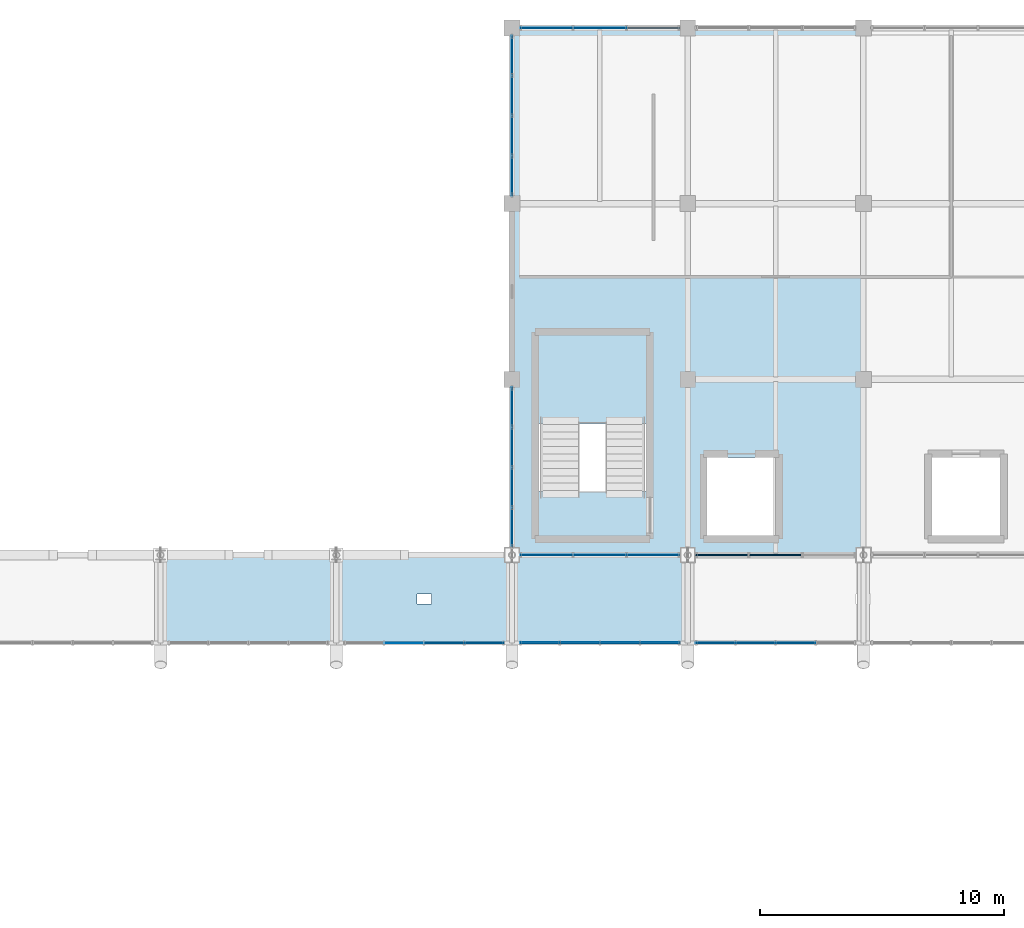
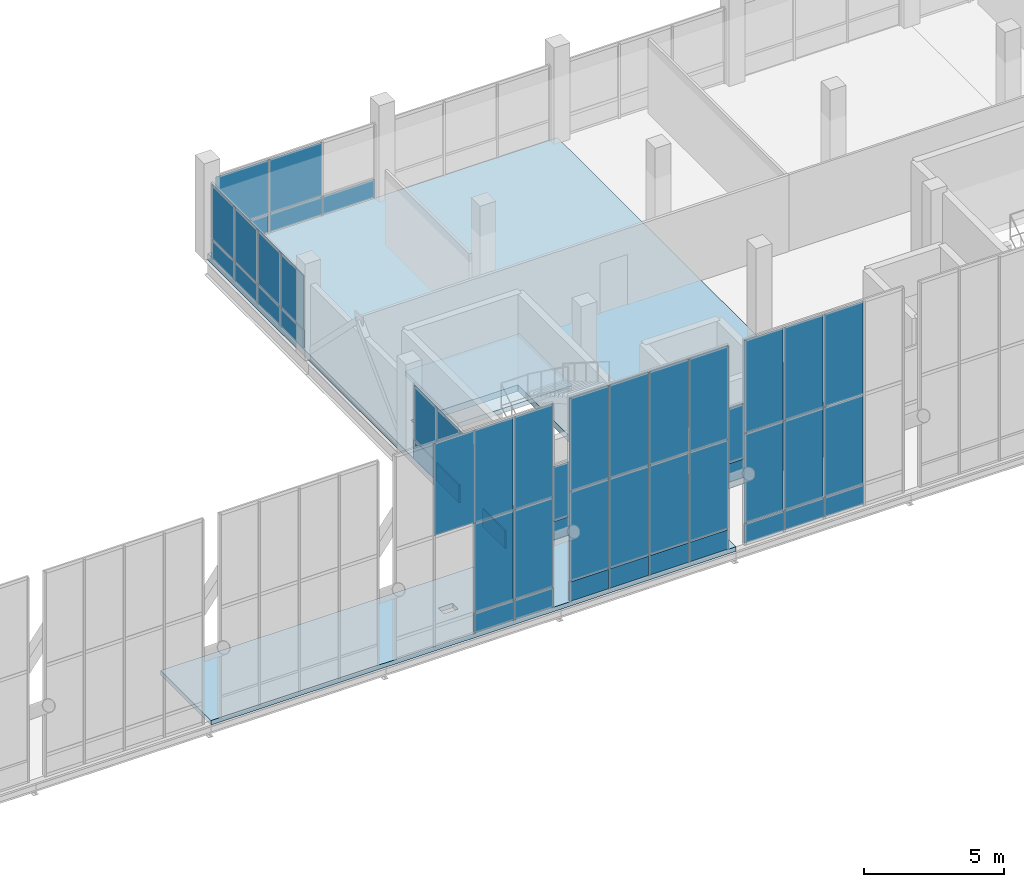
# One storey, part 80 of 102: 59 plates, 3 slabs, 9 elements without a shape of their own.
"""IFC4 building model written with IfcOpenShell, lengths in metres."""

from ifc_helpers import new_model, si_unit, direction, frame, origin, origin_2d, place, context, subcontext, project, spatial, polyline, rectangle, outline, extrude, material, layer, layer_set, type_object, element, aggregate, save


model = new_model("IFC4")

# Units and contexts
model_context = context("Model", 3, precision=1e-05, world=origin(), true_north=direction((0.0, 1.0)))
body_context = subcontext(model_context, "Body", "Model", "MODEL_VIEW")
ifc_project = project(units=[si_unit("LENGTHUNIT", "METRE"), si_unit("AREAUNIT", "SQUARE_METRE"), si_unit("VOLUMEUNIT", "CUBIC_METRE"), si_unit("PLANEANGLEUNIT", "RADIAN"), si_unit("MASSUNIT", "GRAM", prefix="KILO")], contexts=[model_context])

# Site, building, storey
site_placement = place(None, origin())
site = spatial("IfcSite", under=ifc_project, at=site_placement, CompositionType="ELEMENT")
building_placement = place(site_placement, origin())
building = spatial("IfcBuilding", under=site, at=building_placement, Name="Yarey Park Central Fire Station", CompositionType="ELEMENT")
storey_placement = place(building_placement, frame((0.0, 0.0, 6.0)))
storey = spatial("IfcBuildingStorey", under=building, at=storey_placement, Name="L02", CompositionType="ELEMENT", Elevation=6.0)

# Curtain wall, plates
ifc_material_1 = material(Name="Anodized Aluminium Frame", Category="aluminium")
curtain_wall_type_1 = type_object("IfcCurtainWallType", Name="ENV_CW_CLER_9M", PredefinedType="NOTDEFINED", material=ifc_material_1)
curtain_wall_1_placement = place(storey_placement, origin())
curtain_wall_1 = element("IfcCurtainWall", 1, at=curtain_wall_1_placement, inside=storey, type_object=curtain_wall_type_1, Name="CW_V2_CLER_N_08", PredefinedType="NOTDEFINED")
ifc_material_2 = material(Name="Insulated Aluminium Spandrel Panel", Category="aluminium")
ifc_layer_1 = layer(ifc_material_2, 0.055908203125)
ifc_layer_set_1 = layer_set([ifc_layer_1], Name="Insulated Aluminium Spandrel Panel")
plate_type_1 = type_object("IfcPlateType", Name="ENV_PNL_SPN_01", PredefinedType="CURTAIN_PANEL", material=ifc_layer_set_1)
plate_1_placement = place(storey_placement, frame((114.0673828125, 90.0, 0.04248046875), z_axis=(0.0, 0.0, 1.0), x_axis=(-1.0, 0.0, 0.0)))
plate_1 = element("IfcPlate", 2, at=plate_1_placement, type_object=plate_type_1, Name="CW_V2_CLER_N_08_PNL01", PredefinedType="CURTAIN_PANEL", context=body_context, shape_type="SweptSolid", body=[
    extrude(rectangle(XDim=1.60498046875, YDim=0.055908203125, at=origin_2d()), origin(), (0.0, 0.0, 1.0), 0.840087890625),
])
plate_2_placement = place(storey_placement, frame((112.422607421875, 90.0, 0.04248046875), z_axis=(0.0, 0.0, 1.0), x_axis=(-1.0, 0.0, 0.0)))
plate_2 = element("IfcPlate", 3, at=plate_2_placement, type_object=plate_type_1, Name="CW_V2_CLER_N_08_PNL04", PredefinedType="CURTAIN_PANEL", context=body_context, shape_type="SweptSolid", body=[
    extrude(rectangle(XDim=1.60498046875, YDim=0.055908203125, at=origin_2d()), origin(), (0.0, 0.0, 1.0), 0.840087890625),
])

curtain_wall_2_placement = place(storey_placement, origin())
curtain_wall_2 = element("IfcCurtainWall", 4, at=curtain_wall_2_placement, inside=storey, type_object=curtain_wall_type_1, Name="CW_V2_CLER_N_10", PredefinedType="NOTDEFINED")
plate_3_placement = place(storey_placement, frame((126.822509765625, 90.0, 0.04248046875), z_axis=(0.0, 0.0, 1.0), x_axis=(-1.0, 0.0, 0.0)))
plate_3 = element("IfcPlate", 5, at=plate_3_placement, type_object=plate_type_1, Name="CW_V2_CLER_N_10_PNL04", PredefinedType="CURTAIN_PANEL", context=body_context, shape_type="SweptSolid", body=[
    extrude(rectangle(XDim=1.60498046875, YDim=0.055908203125, at=origin_2d()), origin(), (0.0, 0.0, 1.0), 0.840087890625),
])
plate_4_placement = place(storey_placement, frame((125.177490234375, 90.0, 0.04248046875), z_axis=(0.0, 0.0, 1.0), x_axis=(-1.0, 0.0, 0.0)))
plate_4 = element("IfcPlate", 6, at=plate_4_placement, type_object=plate_type_1, Name="CW_V2_CLER_N_10_PNL07", PredefinedType="CURTAIN_PANEL", context=body_context, shape_type="SweptSolid", body=[
    extrude(rectangle(XDim=1.60498046875, YDim=0.055908203125, at=origin_2d()), origin(), (0.0, 0.0, 1.0), 0.840087890625),
])
plate_5_placement = place(storey_placement, frame((123.532470703125, 90.0, 0.04248046875), z_axis=(0.0, 0.0, 1.0), x_axis=(-1.0, 0.0, 0.0)))
plate_5 = element("IfcPlate", 7, at=plate_5_placement, type_object=plate_type_1, Name="CW_V2_CLER_N_10_PNL10", PredefinedType="CURTAIN_PANEL", context=body_context, shape_type="SweptSolid", body=[
    extrude(rectangle(XDim=1.60498046875, YDim=0.055908203125, at=origin_2d()), origin(), (0.0, 0.0, 1.0), 0.840087890625),
])

curtain_wall_type_2 = type_object("IfcCurtainWallType", Name="ENV_CW_HQ_L02", PredefinedType="NOTDEFINED", material=ifc_material_1)
curtain_wall_3_placement = place(storey_placement, origin())
curtain_wall_3 = element("IfcCurtainWall", 8, at=curtain_wall_3_placement, inside=storey, type_object=curtain_wall_type_2, Name="CW_L02_V4_N_1", PredefinedType="NOTDEFINED")
plate_6_placement = place(storey_placement, frame((120.993408203125, 115.199951171875, 0.04248046875), z_axis=(0.0, 0.0, 1.0), x_axis=(-1.0, 0.0, 0.0)))
plate_6 = element("IfcPlate", 9, at=plate_6_placement, type_object=plate_type_1, Name="CW_L02_V4_N_1_PNL01", PredefinedType="CURTAIN_PANEL", context=body_context, shape_type="SweptSolid", body=[
    extrude(rectangle(XDim=2.1533203125, YDim=0.055908203125, at=origin_2d()), origin(), (0.0, 0.0, 1.0), 0.7900390625),
])
plate_7_placement = place(storey_placement, frame((118.800048828125, 115.199951171875, 0.04248046875), z_axis=(0.0, 0.0, 1.0), x_axis=(-1.0, 0.0, 0.0)))
plate_7 = element("IfcPlate", 10, at=plate_7_placement, type_object=plate_type_1, Name="CW_L02_V4_N_1_PNL03", PredefinedType="CURTAIN_PANEL", context=body_context, shape_type="SweptSolid", body=[
    extrude(rectangle(XDim=2.1533203125, YDim=0.055908203125, at=origin_2d()), origin(), (0.0, 0.0, 1.0), 0.7900390625),
])
plate_8_placement = place(storey_placement, frame((116.606689453125, 115.199951171875, 0.04248046875), z_axis=(0.0, 0.0, 1.0), x_axis=(-1.0, 0.0, 0.0)))
plate_8 = element("IfcPlate", 11, at=plate_8_placement, type_object=plate_type_1, Name="CW_L02_V4_N_1_PNL05", PredefinedType="CURTAIN_PANEL", context=body_context, shape_type="SweptSolid", body=[
    extrude(rectangle(XDim=2.1533203125, YDim=0.055908203125, at=origin_2d()), origin(), (0.0, 0.0, 1.0), 0.7900390625),
])

curtain_wall_4_placement = place(storey_placement, origin())
curtain_wall_4 = element("IfcCurtainWall", 12, at=curtain_wall_4_placement, inside=storey, type_object=curtain_wall_type_2, Name="CW_L02_V4_W_93", PredefinedType="NOTDEFINED")
plate_9_placement = place(storey_placement, frame((115.199951171875, 99.66748046875, 0.04248046875), z_axis=(0.0, 0.0, 1.0), x_axis=(0.0, -1.0, 0.0)))
plate_9 = element("IfcPlate", 13, at=plate_9_placement, type_object=plate_type_1, Name="CW_L02_V4_W_93_PNL01", PredefinedType="CURTAIN_PANEL", context=body_context, shape_type="SweptSolid", body=[
    extrude(rectangle(XDim=1.60498046875, YDim=0.055908203125, at=origin_2d()), origin(), (0.0, 0.0, 1.0), 0.7900390625),
])
plate_10_placement = place(storey_placement, frame((115.199951171875, 98.0224609375, 0.04248046875), z_axis=(0.0, 0.0, 1.0), x_axis=(0.0, -1.0, 0.0)))
plate_10 = element("IfcPlate", 14, at=plate_10_placement, type_object=plate_type_1, Name="CW_L02_V4_W_93_PNL03", PredefinedType="CURTAIN_PANEL", context=body_context, shape_type="SweptSolid", body=[
    extrude(rectangle(XDim=1.60498046875, YDim=0.055908203125, at=origin_2d()), origin(), (0.0, 0.0, 1.0), 0.7900390625),
])
plate_11_placement = place(storey_placement, frame((115.199951171875, 96.37744140625, 0.04248046875), z_axis=(0.0, 0.0, 1.0), x_axis=(0.0, -1.0, 0.0)))
plate_11 = element("IfcPlate", 15, at=plate_11_placement, type_object=plate_type_1, Name="CW_L02_V4_W_93_PNL05", PredefinedType="CURTAIN_PANEL", context=body_context, shape_type="SweptSolid", body=[
    extrude(rectangle(XDim=1.60498046875, YDim=0.055908203125, at=origin_2d()), origin(), (0.0, 0.0, 1.0), 0.7900390625),
])
plate_12_placement = place(storey_placement, frame((115.199951171875, 94.732421875, 0.04248046875), z_axis=(0.0, 0.0, 1.0), x_axis=(0.0, -1.0, 0.0)))
plate_12 = element("IfcPlate", 16, at=plate_12_placement, type_object=plate_type_1, Name="CW_L02_V4_W_93_PNL07", PredefinedType="CURTAIN_PANEL", context=body_context, shape_type="SweptSolid", body=[
    extrude(rectangle(XDim=1.60498046875, YDim=0.055908203125, at=origin_2d()), origin(), (0.0, 0.0, 1.0), 0.7900390625),
])

curtain_wall_5_placement = place(storey_placement, origin())
curtain_wall_5 = element("IfcCurtainWall", 17, at=curtain_wall_5_placement, inside=storey, type_object=curtain_wall_type_2, Name="CW_L02_V4_S_1", PredefinedType="NOTDEFINED")
ifc_layer_2 = layer(ifc_material_2, 0.068115234375)
ifc_layer_set_2 = layer_set([ifc_layer_2], Name="Insulated Aluminium Spandrel Panel")
plate_type_2 = type_object("IfcPlateType", Name="ENV_PNL_SPN_02", PredefinedType="CURTAIN_PANEL", material=ifc_layer_set_2)
plate_13_placement = place(storey_placement, frame((116.606689453125, 93.60009765625, 0.04248046875), z_axis=(0.0, 0.0, 1.0), x_axis=(1.0, 0.0, 0.0)))
plate_13 = element("IfcPlate", 18, at=plate_13_placement, type_object=plate_type_2, Name="CW_L02_V4_S_1_PNL01", PredefinedType="CURTAIN_PANEL", context=body_context, shape_type="SweptSolid", body=[
    extrude(rectangle(XDim=2.1533203125, YDim=0.068115234375, at=origin_2d()), origin(), (0.0, 0.0, 1.0), 0.7900390625),
])
plate_14_placement = place(storey_placement, frame((118.800048828125, 93.60009765625, 0.04248046875), z_axis=(0.0, 0.0, 1.0), x_axis=(1.0, 0.0, 0.0)))
plate_14 = element("IfcPlate", 19, at=plate_14_placement, type_object=plate_type_2, Name="CW_L02_V4_S_1_PNL03", PredefinedType="CURTAIN_PANEL", context=body_context, shape_type="SweptSolid", body=[
    extrude(rectangle(XDim=2.1533203125, YDim=0.068115234375, at=origin_2d()), origin(), (0.0, 0.0, 1.0), 0.7900390625),
])
plate_15_placement = place(storey_placement, frame((120.993408203125, 93.60009765625, 0.04248046875), z_axis=(0.0, 0.0, 1.0), x_axis=(1.0, 0.0, 0.0)))
plate_15 = element("IfcPlate", 20, at=plate_15_placement, type_object=plate_type_2, Name="CW_L02_V4_S_1_PNL05", PredefinedType="CURTAIN_PANEL", context=body_context, shape_type="SweptSolid", body=[
    extrude(rectangle(XDim=2.1533203125, YDim=0.068115234375, at=origin_2d()), origin(), (0.0, 0.0, 1.0), 0.7900390625),
])

curtain_wall_6_placement = place(storey_placement, origin())
curtain_wall_6 = element("IfcCurtainWall", 21, at=curtain_wall_6_placement, inside=storey, type_object=curtain_wall_type_2, Name="CW_L02_V4_W_108", PredefinedType="NOTDEFINED")
plate_16_placement = place(storey_placement, frame((115.199951171875, 114.0673828125, 0.04248046875), z_axis=(0.0, 0.0, 1.0), x_axis=(0.0, -1.0, 0.0)))
plate_16 = element("IfcPlate", 22, at=plate_16_placement, type_object=plate_type_2, Name="CW_L02_V4_W_108_PNL01", PredefinedType="CURTAIN_PANEL", context=body_context, shape_type="SweptSolid", body=[
    extrude(rectangle(XDim=1.60498046875, YDim=0.068115234375, at=origin_2d()), origin(), (0.0, 0.0, 1.0), 0.7900390625),
])
plate_17_placement = place(storey_placement, frame((115.199951171875, 112.422607421875, 0.04248046875), z_axis=(0.0, 0.0, 1.0), x_axis=(0.0, -1.0, 0.0)))
plate_17 = element("IfcPlate", 23, at=plate_17_placement, type_object=plate_type_2, Name="CW_L02_V4_W_108_PNL03", PredefinedType="CURTAIN_PANEL", context=body_context, shape_type="SweptSolid", body=[
    extrude(rectangle(XDim=1.60498046875, YDim=0.068115234375, at=origin_2d()), origin(), (0.0, 0.0, 1.0), 0.7900390625),
])
plate_18_placement = place(storey_placement, frame((115.199951171875, 110.777587890625, 0.04248046875), z_axis=(0.0, 0.0, 1.0), x_axis=(0.0, -1.0, 0.0)))
plate_18 = element("IfcPlate", 24, at=plate_18_placement, type_object=plate_type_2, Name="CW_L02_V4_W_108_PNL05", PredefinedType="CURTAIN_PANEL", context=body_context, shape_type="SweptSolid", body=[
    extrude(rectangle(XDim=1.60498046875, YDim=0.068115234375, at=origin_2d()), origin(), (0.0, 0.0, 1.0), 0.7900390625),
])
plate_19_placement = place(storey_placement, frame((115.199951171875, 109.132568359375, 0.04248046875), z_axis=(0.0, 0.0, 1.0), x_axis=(0.0, -1.0, 0.0)))
plate_19 = element("IfcPlate", 25, at=plate_19_placement, type_object=plate_type_2, Name="CW_L02_V4_W_108_PNL07", PredefinedType="CURTAIN_PANEL", context=body_context, shape_type="SweptSolid", body=[
    extrude(rectangle(XDim=1.60498046875, YDim=0.068115234375, at=origin_2d()), origin(), (0.0, 0.0, 1.0), 0.7900390625),
])

curtain_wall_7_placement = place(storey_placement, origin())
curtain_wall_7 = element("IfcCurtainWall", 26, at=curtain_wall_7_placement, inside=storey, type_object=curtain_wall_type_1, Name="CW_V2_CLER_N_09", PredefinedType="NOTDEFINED")
ifc_layer_3 = layer(ifc_material_2, 0.077880859375)
ifc_layer_set_3 = layer_set([ifc_layer_3], Name="Insulated Aluminium Spandrel Panel")
plate_type_3 = type_object("IfcPlateType", Name="ENV_PNL_SPN_03", PredefinedType="CURTAIN_PANEL", material=ifc_layer_set_3)
plate_20_placement = place(storey_placement, frame((121.267578125, 90.0, 0.04248046875), z_axis=(0.0, 0.0, 1.0), x_axis=(-1.0, 0.0, 0.0)))
plate_20 = element("IfcPlate", 27, at=plate_20_placement, type_object=plate_type_3, Name="CW_V2_CLER_N_09_PNL01", PredefinedType="CURTAIN_PANEL", context=body_context, shape_type="SweptSolid", body=[
    extrude(rectangle(XDim=1.60498046875, YDim=0.077880859375, at=origin_2d()), origin(), (0.0, 0.0, 1.0), 0.840087890625),
])
plate_21_placement = place(storey_placement, frame((119.62255859375, 90.0, 0.04248046875), z_axis=(0.0, 0.0, 1.0), x_axis=(-1.0, 0.0, 0.0)))
plate_21 = element("IfcPlate", 28, at=plate_21_placement, type_object=plate_type_3, Name="CW_V2_CLER_N_09_PNL04", PredefinedType="CURTAIN_PANEL", context=body_context, shape_type="SweptSolid", body=[
    extrude(rectangle(XDim=1.60498046875, YDim=0.077880859375, at=origin_2d()), origin(), (0.0, 0.0, 1.0), 0.840087890625),
])
plate_22_placement = place(storey_placement, frame((117.9775390625, 90.0, 0.04248046875), z_axis=(0.0, 0.0, 1.0), x_axis=(-1.0, 0.0, 0.0)))
plate_22 = element("IfcPlate", 29, at=plate_22_placement, type_object=plate_type_3, Name="CW_V2_CLER_N_09_PNL07", PredefinedType="CURTAIN_PANEL", context=body_context, shape_type="SweptSolid", body=[
    extrude(rectangle(XDim=1.60498046875, YDim=0.077880859375, at=origin_2d()), origin(), (0.0, 0.0, 1.0), 0.840087890625),
])
plate_23_placement = place(storey_placement, frame((116.33251953125, 90.0, 0.04248046875), z_axis=(0.0, 0.0, 1.0), x_axis=(-1.0, 0.0, 0.0)))
plate_23 = element("IfcPlate", 30, at=plate_23_placement, type_object=plate_type_3, Name="CW_V2_CLER_N_09_PNL10", PredefinedType="CURTAIN_PANEL", context=body_context, shape_type="SweptSolid", body=[
    extrude(rectangle(XDim=1.60498046875, YDim=0.077880859375, at=origin_2d()), origin(), (0.0, 0.0, 1.0), 0.840087890625),
])

curtain_wall_8_placement = place(storey_placement, origin())
curtain_wall_8 = element("IfcCurtainWall", 31, at=curtain_wall_8_placement, inside=storey, type_object=curtain_wall_type_2, Name="CW_L02_V4_S_2", PredefinedType="NOTDEFINED")
ifc_layer_4 = layer(ifc_material_2, 0.087890625)
ifc_layer_set_4 = layer_set([ifc_layer_4], Name="Insulated Aluminium Spandrel Panel")
plate_type_4 = type_object("IfcPlateType", Name="ENV_PNL_SPN_04", PredefinedType="CURTAIN_PANEL", material=ifc_layer_set_4)
plate_24_placement = place(storey_placement, frame((123.806640625, 93.60009765625, 0.04248046875), z_axis=(0.0, 0.0, 1.0), x_axis=(1.0, 0.0, 0.0)))
plate_24 = element("IfcPlate", 32, at=plate_24_placement, type_object=plate_type_4, Name="CW_L02_V4_S_2_PNL01", PredefinedType="CURTAIN_PANEL", context=body_context, shape_type="SweptSolid", body=[
    extrude(rectangle(XDim=2.1533203125, YDim=0.087890625, at=origin_2d()), origin(), (0.0, 0.0, 1.0), 0.7900390625),
])
plate_25_placement = place(storey_placement, frame((126.0, 93.60009765625, 0.04248046875), z_axis=(0.0, 0.0, 1.0), x_axis=(1.0, 0.0, 0.0)))
plate_25 = element("IfcPlate", 33, at=plate_25_placement, type_object=plate_type_4, Name="CW_L02_V4_S_2_PNL03", PredefinedType="CURTAIN_PANEL", context=body_context, shape_type="SweptSolid", body=[
    extrude(rectangle(XDim=2.1533203125, YDim=0.087890625, at=origin_2d()), origin(), (0.0, 0.0, 1.0), 0.7900390625),
])

# Plate
ifc_material_3 = material(Name="Laminated Hurricane Low-E Glass", Category="glass")
ifc_layer_5 = layer(ifc_material_3, 0.02392578125)
ifc_layer_set_5 = layer_set([ifc_layer_5], Name="Laminated Hurricane Low-E Glass")
plate_type_5 = type_object("IfcPlateType", Name="ENV_PNL_VIS_01", PredefinedType="CURTAIN_PANEL", material=ifc_layer_set_5)
plate_26_placement = place(storey_placement, frame((114.0673828125, 90.0, 0.91748046875), z_axis=(0.0, 0.0, 1.0), x_axis=(-1.0, 0.0, 0.0)))
plate_26 = element("IfcPlate", 34, at=plate_26_placement, type_object=plate_type_5, Name="CW_V2_CLER_N_08_PNL02", PredefinedType="CURTAIN_PANEL", context=body_context, shape_type="SweptSolid", body=[
    extrude(rectangle(XDim=1.60498046875, YDim=0.02392578125, at=origin_2d()), origin(), (0.0, 0.0, 1.0), 3.87109375),
])

plate_27_placement = place(storey_placement, frame((114.0673828125, 90.0, 4.82373046875), z_axis=(0.0, 0.0, 1.0), x_axis=(-1.0, 0.0, 0.0)))
plate_27 = element("IfcPlate", 35, at=plate_27_placement, type_object=plate_type_5, Name="CW_V2_CLER_N_08_PNL03", PredefinedType="CURTAIN_PANEL", context=body_context, shape_type="SweptSolid", body=[
    extrude(rectangle(XDim=1.60498046875, YDim=0.02392578125, at=origin_2d()), origin(), (0.0, 0.0, 1.0), 4.033935546875),
])

plate_28_placement = place(storey_placement, frame((112.422607421875, 90.0, 0.91748046875), z_axis=(0.0, 0.0, 1.0), x_axis=(-1.0, 0.0, 0.0)))
plate_28 = element("IfcPlate", 36, at=plate_28_placement, type_object=plate_type_5, Name="CW_V2_CLER_N_08_PNL05", PredefinedType="CURTAIN_PANEL", context=body_context, shape_type="SweptSolid", body=[
    extrude(rectangle(XDim=1.60498046875, YDim=0.02392578125, at=origin_2d()), origin(), (0.0, 0.0, 1.0), 3.87109375),
])

plate_29_placement = place(storey_placement, frame((112.422607421875, 90.0, 4.82373046875), z_axis=(0.0, 0.0, 1.0), x_axis=(-1.0, 0.0, 0.0)))
plate_29 = element("IfcPlate", 37, at=plate_29_placement, type_object=plate_type_5, Name="CW_V2_CLER_N_08_PNL06", PredefinedType="CURTAIN_PANEL", context=body_context, shape_type="SweptSolid", body=[
    extrude(rectangle(XDim=1.60498046875, YDim=0.02392578125, at=origin_2d()), origin(), (0.0, 0.0, 1.0), 4.033935546875),
])

plate_30_placement = place(storey_placement, frame((110.777587890625, 90.0, 4.82373046875), z_axis=(0.0, 0.0, 1.0), x_axis=(-1.0, 0.0, 0.0)))
plate_30 = element("IfcPlate", 38, at=plate_30_placement, type_object=plate_type_5, Name="CW_V2_CLER_N_08_PNL09", PredefinedType="CURTAIN_PANEL", context=body_context, shape_type="SweptSolid", body=[
    extrude(rectangle(XDim=1.60498046875, YDim=0.02392578125, at=origin_2d()), origin(), (0.0, 0.0, 1.0), 4.033935546875),
])

aggregate(curtain_wall_1, [plate_1, plate_26, plate_27, plate_2, plate_28, plate_29, plate_30])

plate_31_placement = place(storey_placement, frame((126.822509765625, 90.0, 0.91748046875), z_axis=(0.0, 0.0, 1.0), x_axis=(-1.0, 0.0, 0.0)))
plate_31 = element("IfcPlate", 39, at=plate_31_placement, type_object=plate_type_5, Name="CW_V2_CLER_N_10_PNL05", PredefinedType="CURTAIN_PANEL", context=body_context, shape_type="SweptSolid", body=[
    extrude(rectangle(XDim=1.60498046875, YDim=0.02392578125, at=origin_2d()), origin(), (0.0, 0.0, 1.0), 3.87109375),
])

plate_32_placement = place(storey_placement, frame((126.822509765625, 90.0, 4.82373046875), z_axis=(0.0, 0.0, 1.0), x_axis=(-1.0, 0.0, 0.0)))
plate_32 = element("IfcPlate", 40, at=plate_32_placement, type_object=plate_type_5, Name="CW_V2_CLER_N_10_PNL06", PredefinedType="CURTAIN_PANEL", context=body_context, shape_type="SweptSolid", body=[
    extrude(rectangle(XDim=1.60498046875, YDim=0.02392578125, at=origin_2d()), origin(), (0.0, 0.0, 1.0), 4.033935546875),
])

plate_33_placement = place(storey_placement, frame((125.177490234375, 90.0, 0.91748046875), z_axis=(0.0, 0.0, 1.0), x_axis=(-1.0, 0.0, 0.0)))
plate_33 = element("IfcPlate", 41, at=plate_33_placement, type_object=plate_type_5, Name="CW_V2_CLER_N_10_PNL08", PredefinedType="CURTAIN_PANEL", context=body_context, shape_type="SweptSolid", body=[
    extrude(rectangle(XDim=1.60498046875, YDim=0.02392578125, at=origin_2d()), origin(), (0.0, 0.0, 1.0), 3.87109375),
])

plate_34_placement = place(storey_placement, frame((125.177490234375, 90.0, 4.82373046875), z_axis=(0.0, 0.0, 1.0), x_axis=(-1.0, 0.0, 0.0)))
plate_34 = element("IfcPlate", 42, at=plate_34_placement, type_object=plate_type_5, Name="CW_V2_CLER_N_10_PNL09", PredefinedType="CURTAIN_PANEL", context=body_context, shape_type="SweptSolid", body=[
    extrude(rectangle(XDim=1.60498046875, YDim=0.02392578125, at=origin_2d()), origin(), (0.0, 0.0, 1.0), 4.033935546875),
])

plate_35_placement = place(storey_placement, frame((123.532470703125, 90.0, 0.91748046875), z_axis=(0.0, 0.0, 1.0), x_axis=(-1.0, 0.0, 0.0)))
plate_35 = element("IfcPlate", 43, at=plate_35_placement, type_object=plate_type_5, Name="CW_V2_CLER_N_10_PNL11", PredefinedType="CURTAIN_PANEL", context=body_context, shape_type="SweptSolid", body=[
    extrude(rectangle(XDim=1.60498046875, YDim=0.02392578125, at=origin_2d()), origin(), (0.0, 0.0, 1.0), 3.87109375),
])

plate_36_placement = place(storey_placement, frame((123.532470703125, 90.0, 4.82373046875), z_axis=(0.0, 0.0, 1.0), x_axis=(-1.0, 0.0, 0.0)))
plate_36 = element("IfcPlate", 44, at=plate_36_placement, type_object=plate_type_5, Name="CW_V2_CLER_N_10_PNL12", PredefinedType="CURTAIN_PANEL", context=body_context, shape_type="SweptSolid", body=[
    extrude(rectangle(XDim=1.60498046875, YDim=0.02392578125, at=origin_2d()), origin(), (0.0, 0.0, 1.0), 4.033935546875),
])

aggregate(curtain_wall_2, [plate_3, plate_31, plate_32, plate_4, plate_33, plate_34, plate_5, plate_35, plate_36])

plate_37_placement = place(storey_placement, frame((118.800048828125, 115.199951171875, 0.867431640625), z_axis=(0.0, 0.0, 1.0), x_axis=(-1.0, 0.0, 0.0)))
plate_37 = element("IfcPlate", 45, at=plate_37_placement, type_object=plate_type_5, Name="CW_L02_V4_N_1_PNL04", PredefinedType="CURTAIN_PANEL", context=body_context, shape_type="SweptSolid", body=[
    extrude(rectangle(XDim=2.1533203125, YDim=0.02392578125, at=origin_2d()), origin(), (0.0, 0.0, 1.0), 2.3369140625),
])

plate_38_placement = place(storey_placement, frame((116.606689453125, 115.199951171875, 0.867431640625), z_axis=(0.0, 0.0, 1.0), x_axis=(-1.0, 0.0, 0.0)))
plate_38 = element("IfcPlate", 46, at=plate_38_placement, type_object=plate_type_5, Name="CW_L02_V4_N_1_PNL06", PredefinedType="CURTAIN_PANEL", context=body_context, shape_type="SweptSolid", body=[
    extrude(rectangle(XDim=2.1533203125, YDim=0.02392578125, at=origin_2d()), origin(), (0.0, 0.0, 1.0), 2.3369140625),
])

aggregate(curtain_wall_3, [plate_6, plate_7, plate_37, plate_8, plate_38])

plate_39_placement = place(storey_placement, frame((115.199951171875, 99.66748046875, 0.86767578125), z_axis=(0.0, 0.0, 1.0), x_axis=(0.0, -1.0, 0.0)))
plate_39 = element("IfcPlate", 47, at=plate_39_placement, type_object=plate_type_5, Name="CW_L02_V4_W_93_PNL02", PredefinedType="CURTAIN_PANEL", context=body_context, shape_type="SweptSolid", body=[
    extrude(rectangle(XDim=1.60498046875, YDim=0.02392578125, at=origin_2d()), origin(), (0.0, 0.0, 1.0), 2.340087890625),
])

plate_40_placement = place(storey_placement, frame((115.199951171875, 98.0224609375, 0.86767578125), z_axis=(0.0, 0.0, 1.0), x_axis=(0.0, -1.0, 0.0)))
plate_40 = element("IfcPlate", 48, at=plate_40_placement, type_object=plate_type_5, Name="CW_L02_V4_W_93_PNL04", PredefinedType="CURTAIN_PANEL", context=body_context, shape_type="SweptSolid", body=[
    extrude(rectangle(XDim=1.60498046875, YDim=0.02392578125, at=origin_2d()), origin(), (0.0, 0.0, 1.0), 2.340087890625),
])

plate_41_placement = place(storey_placement, frame((115.199951171875, 96.37744140625, 0.86767578125), z_axis=(0.0, 0.0, 1.0), x_axis=(0.0, -1.0, 0.0)))
plate_41 = element("IfcPlate", 49, at=plate_41_placement, type_object=plate_type_5, Name="CW_L02_V4_W_93_PNL06", PredefinedType="CURTAIN_PANEL", context=body_context, shape_type="SweptSolid", body=[
    extrude(rectangle(XDim=1.60498046875, YDim=0.02392578125, at=origin_2d()), origin(), (0.0, 0.0, 1.0), 2.340087890625),
])

plate_42_placement = place(storey_placement, frame((115.199951171875, 94.732421875, 0.86767578125), z_axis=(0.0, 0.0, 1.0), x_axis=(0.0, -1.0, 0.0)))
plate_42 = element("IfcPlate", 50, at=plate_42_placement, type_object=plate_type_5, Name="CW_L02_V4_W_93_PNL08", PredefinedType="CURTAIN_PANEL", context=body_context, shape_type="SweptSolid", body=[
    extrude(rectangle(XDim=1.60498046875, YDim=0.02392578125, at=origin_2d()), origin(), (0.0, 0.0, 1.0), 2.340087890625),
])

aggregate(curtain_wall_4, [plate_9, plate_39, plate_10, plate_40, plate_11, plate_41, plate_12, plate_42])

ifc_layer_6 = layer(ifc_material_3, 0.031982421875)
ifc_layer_set_6 = layer_set([ifc_layer_6], Name="Laminated Hurricane Low-E Glass")
plate_type_6 = type_object("IfcPlateType", Name="ENV_PNL_VIS_02", PredefinedType="CURTAIN_PANEL", material=ifc_layer_set_6)
plate_43_placement = place(storey_placement, frame((116.606689453125, 93.60009765625, 0.867431640625), z_axis=(0.0, 0.0, 1.0), x_axis=(1.0, 0.0, 0.0)))
plate_43 = element("IfcPlate", 51, at=plate_43_placement, type_object=plate_type_6, Name="CW_L02_V4_S_1_PNL02", PredefinedType="CURTAIN_PANEL", context=body_context, shape_type="SweptSolid", body=[
    extrude(rectangle(XDim=2.1533203125, YDim=0.031982421875, at=origin_2d()), origin(), (0.0, 0.0, 1.0), 2.3369140625),
])

plate_44_placement = place(storey_placement, frame((118.800048828125, 93.60009765625, 0.867431640625), z_axis=(0.0, 0.0, 1.0), x_axis=(1.0, 0.0, 0.0)))
plate_44 = element("IfcPlate", 52, at=plate_44_placement, type_object=plate_type_6, Name="CW_L02_V4_S_1_PNL04", PredefinedType="CURTAIN_PANEL", context=body_context, shape_type="SweptSolid", body=[
    extrude(rectangle(XDim=2.1533203125, YDim=0.031982421875, at=origin_2d()), origin(), (0.0, 0.0, 1.0), 2.3369140625),
])

plate_45_placement = place(storey_placement, frame((120.993408203125, 93.60009765625, 0.867431640625), z_axis=(0.0, 0.0, 1.0), x_axis=(1.0, 0.0, 0.0)))
plate_45 = element("IfcPlate", 53, at=plate_45_placement, type_object=plate_type_6, Name="CW_L02_V4_S_1_PNL06", PredefinedType="CURTAIN_PANEL", context=body_context, shape_type="SweptSolid", body=[
    extrude(rectangle(XDim=2.1533203125, YDim=0.031982421875, at=origin_2d()), origin(), (0.0, 0.0, 1.0), 2.3369140625),
])

aggregate(curtain_wall_5, [plate_13, plate_43, plate_14, plate_44, plate_15, plate_45])

plate_46_placement = place(storey_placement, frame((115.199951171875, 114.0673828125, 0.86767578125), z_axis=(0.0, 0.0, 1.0), x_axis=(0.0, -1.0, 0.0)))
plate_46 = element("IfcPlate", 54, at=plate_46_placement, type_object=plate_type_6, Name="CW_L02_V4_W_108_PNL02", PredefinedType="CURTAIN_PANEL", context=body_context, shape_type="SweptSolid", body=[
    extrude(rectangle(XDim=1.60498046875, YDim=0.031982421875, at=origin_2d()), origin(), (0.0, 0.0, 1.0), 2.340087890625),
])

plate_47_placement = place(storey_placement, frame((115.199951171875, 112.422607421875, 0.86767578125), z_axis=(0.0, 0.0, 1.0), x_axis=(0.0, -1.0, 0.0)))
plate_47 = element("IfcPlate", 55, at=plate_47_placement, type_object=plate_type_6, Name="CW_L02_V4_W_108_PNL04", PredefinedType="CURTAIN_PANEL", context=body_context, shape_type="SweptSolid", body=[
    extrude(rectangle(XDim=1.60498046875, YDim=0.031982421875, at=origin_2d()), origin(), (0.0, 0.0, 1.0), 2.340087890625),
])

plate_48_placement = place(storey_placement, frame((115.199951171875, 110.777587890625, 0.86767578125), z_axis=(0.0, 0.0, 1.0), x_axis=(0.0, -1.0, 0.0)))
plate_48 = element("IfcPlate", 56, at=plate_48_placement, type_object=plate_type_6, Name="CW_L02_V4_W_108_PNL06", PredefinedType="CURTAIN_PANEL", context=body_context, shape_type="SweptSolid", body=[
    extrude(rectangle(XDim=1.60498046875, YDim=0.031982421875, at=origin_2d()), origin(), (0.0, 0.0, 1.0), 2.340087890625),
])

plate_49_placement = place(storey_placement, frame((115.199951171875, 109.132568359375, 0.86767578125), z_axis=(0.0, 0.0, 1.0), x_axis=(0.0, -1.0, 0.0)))
plate_49 = element("IfcPlate", 57, at=plate_49_placement, type_object=plate_type_6, Name="CW_L02_V4_W_108_PNL08", PredefinedType="CURTAIN_PANEL", context=body_context, shape_type="SweptSolid", body=[
    extrude(rectangle(XDim=1.60498046875, YDim=0.031982421875, at=origin_2d()), origin(), (0.0, 0.0, 1.0), 2.340087890625),
])

aggregate(curtain_wall_6, [plate_16, plate_46, plate_17, plate_47, plate_18, plate_48, plate_19, plate_49])

ifc_layer_7 = layer(ifc_material_3, 0.0380859375)
ifc_layer_set_7 = layer_set([ifc_layer_7], Name="Laminated Hurricane Low-E Glass")
plate_type_7 = type_object("IfcPlateType", Name="ENV_PNL_VIS_03", PredefinedType="CURTAIN_PANEL", material=ifc_layer_set_7)
plate_50_placement = place(storey_placement, frame((121.267578125, 90.0, 0.91748046875), z_axis=(0.0, 0.0, 1.0), x_axis=(-1.0, 0.0, 0.0)))
plate_50 = element("IfcPlate", 58, at=plate_50_placement, type_object=plate_type_7, Name="CW_V2_CLER_N_09_PNL02", PredefinedType="CURTAIN_PANEL", context=body_context, shape_type="SweptSolid", body=[
    extrude(rectangle(XDim=1.60498046875, YDim=0.0380859375, at=origin_2d()), origin(), (0.0, 0.0, 1.0), 3.87109375),
])

plate_51_placement = place(storey_placement, frame((121.267578125, 90.0, 4.82373046875), z_axis=(0.0, 0.0, 1.0), x_axis=(-1.0, 0.0, 0.0)))
plate_51 = element("IfcPlate", 59, at=plate_51_placement, type_object=plate_type_7, Name="CW_V2_CLER_N_09_PNL03", PredefinedType="CURTAIN_PANEL", context=body_context, shape_type="SweptSolid", body=[
    extrude(rectangle(XDim=1.60498046875, YDim=0.0380859375, at=origin_2d()), origin(), (0.0, 0.0, 1.0), 4.033935546875),
])

plate_52_placement = place(storey_placement, frame((119.62255859375, 90.0, 0.91748046875), z_axis=(0.0, 0.0, 1.0), x_axis=(-1.0, 0.0, 0.0)))
plate_52 = element("IfcPlate", 60, at=plate_52_placement, type_object=plate_type_7, Name="CW_V2_CLER_N_09_PNL05", PredefinedType="CURTAIN_PANEL", context=body_context, shape_type="SweptSolid", body=[
    extrude(rectangle(XDim=1.60498046875, YDim=0.0380859375, at=origin_2d()), origin(), (0.0, 0.0, 1.0), 3.87109375),
])

plate_53_placement = place(storey_placement, frame((119.62255859375, 90.0, 4.82373046875), z_axis=(0.0, 0.0, 1.0), x_axis=(-1.0, 0.0, 0.0)))
plate_53 = element("IfcPlate", 61, at=plate_53_placement, type_object=plate_type_7, Name="CW_V2_CLER_N_09_PNL06", PredefinedType="CURTAIN_PANEL", context=body_context, shape_type="SweptSolid", body=[
    extrude(rectangle(XDim=1.60498046875, YDim=0.0380859375, at=origin_2d()), origin(), (0.0, 0.0, 1.0), 4.033935546875),
])

plate_54_placement = place(storey_placement, frame((117.9775390625, 90.0, 0.91748046875), z_axis=(0.0, 0.0, 1.0), x_axis=(-1.0, 0.0, 0.0)))
plate_54 = element("IfcPlate", 62, at=plate_54_placement, type_object=plate_type_7, Name="CW_V2_CLER_N_09_PNL08", PredefinedType="CURTAIN_PANEL", context=body_context, shape_type="SweptSolid", body=[
    extrude(rectangle(XDim=1.60498046875, YDim=0.0380859375, at=origin_2d()), origin(), (0.0, 0.0, 1.0), 3.87109375),
])

plate_55_placement = place(storey_placement, frame((117.9775390625, 90.0, 4.82373046875), z_axis=(0.0, 0.0, 1.0), x_axis=(-1.0, 0.0, 0.0)))
plate_55 = element("IfcPlate", 63, at=plate_55_placement, type_object=plate_type_7, Name="CW_V2_CLER_N_09_PNL09", PredefinedType="CURTAIN_PANEL", context=body_context, shape_type="SweptSolid", body=[
    extrude(rectangle(XDim=1.60498046875, YDim=0.0380859375, at=origin_2d()), origin(), (0.0, 0.0, 1.0), 4.033935546875),
])

plate_56_placement = place(storey_placement, frame((116.33251953125, 90.0, 0.91748046875), z_axis=(0.0, 0.0, 1.0), x_axis=(-1.0, 0.0, 0.0)))
plate_56 = element("IfcPlate", 64, at=plate_56_placement, type_object=plate_type_7, Name="CW_V2_CLER_N_09_PNL11", PredefinedType="CURTAIN_PANEL", context=body_context, shape_type="SweptSolid", body=[
    extrude(rectangle(XDim=1.60498046875, YDim=0.0380859375, at=origin_2d()), origin(), (0.0, 0.0, 1.0), 3.87109375),
])

plate_57_placement = place(storey_placement, frame((116.33251953125, 90.0, 4.82373046875), z_axis=(0.0, 0.0, 1.0), x_axis=(-1.0, 0.0, 0.0)))
plate_57 = element("IfcPlate", 65, at=plate_57_placement, type_object=plate_type_7, Name="CW_V2_CLER_N_09_PNL12", PredefinedType="CURTAIN_PANEL", context=body_context, shape_type="SweptSolid", body=[
    extrude(rectangle(XDim=1.60498046875, YDim=0.0380859375, at=origin_2d()), origin(), (0.0, 0.0, 1.0), 4.033935546875),
])

aggregate(curtain_wall_7, [plate_20, plate_50, plate_51, plate_21, plate_52, plate_53, plate_22, plate_54, plate_55, plate_23, plate_56, plate_57])

ifc_layer_8 = layer(ifc_material_3, 0.0458984375)
ifc_layer_set_8 = layer_set([ifc_layer_8], Name="Laminated Hurricane Low-E Glass")
plate_type_8 = type_object("IfcPlateType", Name="ENV_PNL_VIS_04", PredefinedType="CURTAIN_PANEL", material=ifc_layer_set_8)
plate_58_placement = place(storey_placement, frame((123.806640625, 93.60009765625, 0.867431640625), z_axis=(0.0, 0.0, 1.0), x_axis=(1.0, 0.0, 0.0)))
plate_58 = element("IfcPlate", 66, at=plate_58_placement, type_object=plate_type_8, Name="CW_L02_V4_S_2_PNL02", PredefinedType="CURTAIN_PANEL", context=body_context, shape_type="SweptSolid", body=[
    extrude(rectangle(XDim=2.1533203125, YDim=0.0458984375, at=origin_2d()), origin(), (0.0, 0.0, 1.0), 2.3369140625),
])

plate_59_placement = place(storey_placement, frame((126.0, 93.60009765625, 0.867431640625), z_axis=(0.0, 0.0, 1.0), x_axis=(1.0, 0.0, 0.0)))
plate_59 = element("IfcPlate", 67, at=plate_59_placement, type_object=plate_type_8, Name="CW_L02_V4_S_2_PNL04", PredefinedType="CURTAIN_PANEL", context=body_context, shape_type="SweptSolid", body=[
    extrude(rectangle(XDim=2.1533203125, YDim=0.0458984375, at=origin_2d()), origin(), (0.0, 0.0, 1.0), 2.3369140625),
])

aggregate(curtain_wall_8, [plate_24, plate_58, plate_25, plate_59])

# Stair, slab
ifc_material_4 = material(Name="Concrete C40/50", Category="concrete")
stair_type = type_object("IfcStairType", Name="INT_ST_2RUN_150_H42", PredefinedType="USERDEFINED", material=ifc_material_4)
stair_placement = place(storey_placement, origin())
stair = element("IfcStair", 68, at=stair_placement, inside=storey, type_object=stair_type, Name="Exit Stair ST-1 L02", ObjectType="TWO_RUN_STAIR", PredefinedType="USERDEFINED")
ifc_layer_9 = layer(ifc_material_4, 0.205078125)
ifc_layer_set_9 = layer_set([ifc_layer_9], Name="Concrete C40/50")
slab_type_1 = type_object("IfcSlabType", Name="INT_SLAB_LND205", PredefinedType="LANDING", material=ifc_layer_set_9)
slab_1_placement = place(storey_placement, frame((0.0, 0.0, 1.89501953125)))
slab_1 = element("IfcSlab", 69, at=slab_1_placement, type_object=slab_type_1, Name="STAIR_C1_L02_LND", PredefinedType="LANDING", context=body_context, shape_type="SweptSolid", body=[
    extrude(outline(polyline([(116.14990234375, 99.0), (120.85009765625, 99.0), (120.85009765625, 102.75), (116.14990234375, 102.75), (116.14990234375, 99.0)])), origin(), (0.0, 0.0, 1.0), 0.205078125),
])
aggregate(stair, [slab_1])

# Slabs
ifc_layer_10 = layer(ifc_material_4, 0.195068359375)
ifc_layer_set_10 = layer_set([ifc_layer_10], Name="Concrete C40/50")
slab_type_2 = type_object("IfcSlabType", Name="STR_ROOF_FLAT195", PredefinedType="ROOF", material=ifc_layer_set_10)
slab_2_placement = place(storey_placement, frame((0.0, 0.0, -0.195068359375)))
element("IfcSlab", 70, at=slab_2_placement, inside=storey, type_object=slab_type_2, Name="ROOF_L02_V2_EAVE_N3", PredefinedType="ROOF", context=body_context, shape_type="SweptSolid", body=[
    extrude(outline(polyline([(100.800048828125, 90.0), (122.39990234375, 90.0), (122.39990234375, 93.60009765625), (100.800048828125, 93.60009765625), (100.800048828125, 90.0)]), holes=[polyline([(111.300048828125, 91.60009765625), (111.89990234375, 91.60009765625), (111.89990234375, 92.0), (111.300048828125, 92.0), (111.300048828125, 91.60009765625)])]), origin(), (0.0, 0.0, 1.0), 0.195068359375),
])
ifc_layer_11 = layer(ifc_material_4, 0.284912109375)
ifc_layer_set_11 = layer_set([ifc_layer_11], Name="Concrete C40/50")
slab_type_3 = type_object("IfcSlabType", Name="STR_SLAB_F285", PredefinedType="FLOOR", material=ifc_layer_set_11)
slab_3_placement = place(storey_placement, frame((0.0, 0.0, -0.284912109375)))
element("IfcSlab", 71, at=slab_3_placement, inside=storey, type_object=slab_type_3, Name="SLAB_L02_V4_1", PredefinedType="FLOOR", context=body_context, shape_type="SweptSolid", body=[
    extrude(outline(polyline([(115.199951171875, 93.60009765625), (129.60009765625, 93.60009765625), (129.60009765625, 115.199951171875), (115.199951171875, 115.199951171875), (115.199951171875, 93.60009765625)]), holes=[polyline([(116.300048828125, 96.199951171875), (120.699951171875, 96.199951171875), (120.699951171875, 102.60009765625), (116.300048828125, 102.60009765625), (116.300048828125, 96.199951171875)]), polyline([(123.199951171875, 94.39990234375), (126.0, 94.39990234375), (126.0, 97.60009765625), (123.199951171875, 97.60009765625), (123.199951171875, 94.39990234375)])]), origin(), (0.0, 0.0, 1.0), 0.284912109375),
])

save(model, "model.ifc")
